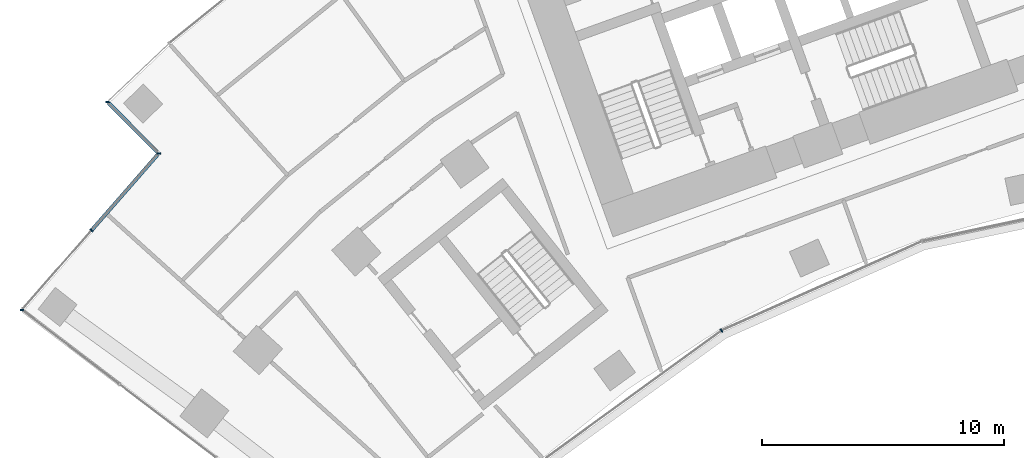
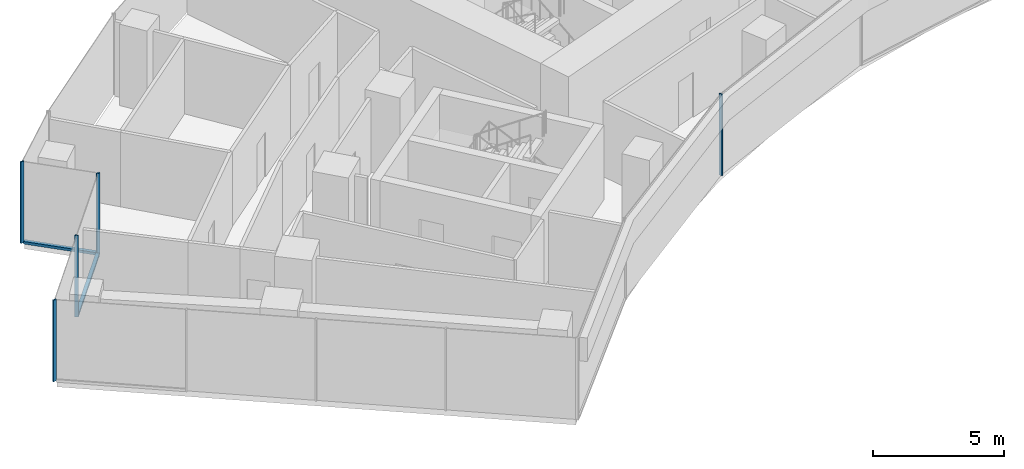
# One storey, part 3 of 21: 7 members, 4 elements without a shape of their own.
"""IFC4 building model written with IfcOpenShell, lengths in metres."""

from ifc_helpers import new_model, si_unit, direction, frame, origin, origin_2d, place, context, subcontext, project, spatial, rectangle, extrude, material, layer, layer_set, material_profile, profile_set, type_object, element, aggregate, save


model = new_model("IFC4")

# Units and contexts
model_context = context("Model", 3, precision=1e-05, world=origin(), true_north=direction((0.0, 1.0)))
body_context = subcontext(model_context, "Body", "Model", "MODEL_VIEW")
ifc_project = project(units=[si_unit("LENGTHUNIT", "METRE"), si_unit("AREAUNIT", "SQUARE_METRE"), si_unit("VOLUMEUNIT", "CUBIC_METRE"), si_unit("PLANEANGLEUNIT", "RADIAN"), si_unit("MASSUNIT", "GRAM", prefix="KILO")], contexts=[model_context])

# Site, building, storey
site_placement = place(None, origin())
site = spatial("IfcSite", under=ifc_project, at=site_placement, CompositionType="ELEMENT")
building_placement = place(site_placement, origin())
building = spatial("IfcBuilding", under=site, at=building_placement, Name="Stone Belt Terrace Tower", CompositionType="ELEMENT")
storey_placement = place(building_placement, frame((0.0, 0.0, 94.60009765625)))
storey = spatial("IfcBuildingStorey", under=building, at=storey_placement, Name="L22", CompositionType="ELEMENT", Elevation=94.60009765625)

# Curtain wall, member
ifc_material = material(Name="Aluminium 6063-T6 anodised frame", Category="aluminium")
ifc_layer_1 = layer(ifc_material, 0.14990234375)
ifc_layer_set_1 = layer_set([ifc_layer_1], Name="CW-B unitised concave-face curtain wall")
curtain_wall_type_1 = type_object("IfcCurtainWallType", Name="CW-B unitised concave-face curtain wall", PredefinedType="NOTDEFINED", material=ifc_layer_set_1)
curtain_wall_1_placement = place(storey_placement, origin())
curtain_wall_1 = element("IfcCurtainWall", 1, at=curtain_wall_1_placement, inside=storey, type_object=curtain_wall_type_1, Name="CW-B concave face L22", PredefinedType="NOTDEFINED")
ifc_material_profile_1 = material_profile(ifc_material, rectangle(XDim=0.14990234375, YDim=0.050048828125, at=origin_2d()), Name="Aluminium 6063-T6 50x150")
ifc_profile_set_1 = profile_set([ifc_material_profile_1], Name="Aluminium 6063-T6 anodised frame")
member_type_1 = type_object("IfcMemberType", Name="CW-B mullion 50 x 150", PredefinedType="MULLION", material=ifc_profile_set_1)
member_1_placement = place(storey_placement, frame((-21.71240234375, 37.606689453125, 0.0), z_axis=(0.0, 0.0, 1.0), x_axis=(-0.5, 0.866025403784, 0.0)))
member_1 = element("IfcMember", 2, at=member_1_placement, type_object=member_type_1, Name="CW-B mullion 3", PredefinedType="MULLION", context=body_context, shape_type="SweptSolid", body=[
    extrude(rectangle(XDim=0.14990234375, YDim=0.050048828125, at=origin_2d()), origin(), (0.0, 0.0, 1.0), 3.7998046875),
])
aggregate(curtain_wall_1, [member_1])

ifc_layer_2 = layer(ifc_material, 0.14990234375)
ifc_layer_set_2 = layer_set([ifc_layer_2], Name="CW-C stick curtain wall, horn ends and notches")
curtain_wall_type_2 = type_object("IfcCurtainWallType", Name="CW-C stick curtain wall, horn ends and notches", PredefinedType="NOTDEFINED", material=ifc_layer_set_2)
curtain_wall_2_placement = place(storey_placement, origin())
curtain_wall_2 = element("IfcCurtainWall", 3, at=curtain_wall_2_placement, inside=storey, type_object=curtain_wall_type_2, Name="CW-C notch face L22", PredefinedType="NOTDEFINED")
ifc_material_profile_2 = material_profile(ifc_material, rectangle(XDim=0.14990234375, YDim=0.06005859375, at=origin_2d()), Name="Aluminium 6063-T6 60x150")
ifc_profile_set_2 = profile_set([ifc_material_profile_2], Name="Aluminium 6063-T6 anodised frame")
member_type_2 = type_object("IfcMemberType", Name="CW-C mullion 60 x 150", PredefinedType="MULLION", material=ifc_profile_set_2)
member_2_placement = place(storey_placement, frame((-47.095458984375, 47.05859375, 0.0), z_axis=(0.0, 0.0, 1.0), x_axis=(0.999906944568, -0.013641928165, 0.0)))
member_2 = element("IfcMember", 4, at=member_2_placement, type_object=member_type_2, Name="CW-C mullion 1", PredefinedType="MULLION", context=body_context, shape_type="SweptSolid", body=[
    extrude(rectangle(XDim=0.14990234375, YDim=0.06005859375, at=origin_2d()), origin(), (0.0, 0.0, 1.0), 3.7998046875),
])

# Curtain wall, members
curtain_wall_3_placement = place(storey_placement, origin())
curtain_wall_3 = element("IfcCurtainWall", 5, at=curtain_wall_3_placement, inside=storey, type_object=curtain_wall_type_2, Name="CW-C notch face L22", PredefinedType="NOTDEFINED")
member_3_placement = place(storey_placement, frame((-44.970703125, 44.930908203125, 0.0), z_axis=(0.0, 0.0, 1.0), x_axis=(0.999452308644, 0.033092034477, 0.0)))
member_3 = element("IfcMember", 6, at=member_3_placement, type_object=member_type_2, Name="CW-C mullion 1", PredefinedType="MULLION", context=body_context, shape_type="SweptSolid", body=[
    extrude(rectangle(XDim=0.14990234375, YDim=0.06005859375, at=origin_2d()), origin(), (0.0, 0.0, 1.0), 3.7998046875),
])
member_4_placement = place(storey_placement, frame((-47.7509765625, 41.751220703125, 0.0), z_axis=(0.0, 0.0, 1.0), x_axis=(0.752816669569, -0.658230250003, 0.0)))
member_4 = element("IfcMember", 7, at=member_4_placement, type_object=member_type_2, Name="CW-C mullion 2", PredefinedType="MULLION", context=body_context, shape_type="SweptSolid", body=[
    extrude(rectangle(XDim=0.14990234375, YDim=0.06005859375, at=origin_2d()), origin(), (0.0, 0.0, 1.0), 3.7998046875),
])

# Curtain wall, member
curtain_wall_4_placement = place(storey_placement, origin())
curtain_wall_4 = element("IfcCurtainWall", 8, at=curtain_wall_4_placement, inside=storey, type_object=curtain_wall_type_2, Name="CW-C end face L22", PredefinedType="NOTDEFINED")
member_5_placement = place(storey_placement, frame((-50.6298828125, 38.45849609375, 0.0), z_axis=(0.0, 0.0, 1.0), x_axis=(0.994927275217, 0.10059680427, 0.0)))
member_5 = element("IfcMember", 9, at=member_5_placement, type_object=member_type_2, Name="CW-C mullion 1", PredefinedType="MULLION", context=body_context, shape_type="SweptSolid", body=[
    extrude(rectangle(XDim=0.14990234375, YDim=0.06005859375, at=origin_2d()), origin(), (0.0, 0.0, 1.0), 3.7998046875),
])
aggregate(curtain_wall_4, [member_5])

# Member
ifc_material_profile_3 = material_profile(ifc_material, rectangle(XDim=0.14990234375, YDim=0.1201171875, at=origin_2d()), Name="Aluminium 6063-T6 150x120")
ifc_profile_set_3 = profile_set([ifc_material_profile_3], Name="Aluminium 6063-T6 anodised frame")
member_type_3 = type_object("IfcMemberType", Name="CW-C transom 120 x 150", PredefinedType="USERDEFINED", material=ifc_profile_set_3)
member_6_placement = place(storey_placement, frame((-47.042724609375, 47.005859375, 0.059814453125), z_axis=(0.706594261373, -0.707618929788, 0.0), x_axis=(0.707618929788, 0.706594261373, 0.0)))
member_6 = element("IfcMember", 10, at=member_6_placement, type_object=member_type_3, Name="CW-C transom 1.1", ObjectType="TRANSOM", PredefinedType="USERDEFINED", context=body_context, shape_type="SweptSolid", body=[
    extrude(rectangle(XDim=0.14990234375, YDim=0.1201171875, at=origin_2d()), origin(), (0.0, 0.0, 1.0), 2.859130859375),
])

aggregate(curtain_wall_2, [member_2, member_6])

member_7_placement = place(storey_placement, frame((-45.01904296875, 44.8759765625, 0.059814453125), z_axis=(-0.658210928233, -0.752833563249, 0.0), x_axis=(0.752833563249, -0.658210928233, 0.0)))
member_7 = element("IfcMember", 11, at=member_7_placement, type_object=member_type_3, Name="CW-C transom 1.1", ObjectType="TRANSOM", PredefinedType="USERDEFINED", context=body_context, shape_type="SweptSolid", body=[
    extrude(rectangle(XDim=0.14990234375, YDim=0.1201171875, at=origin_2d()), origin(), (0.0, 0.0, 1.0), 4.12060546875),
])

aggregate(curtain_wall_3, [member_3, member_4, member_7])

save(model, "model.ifc")
